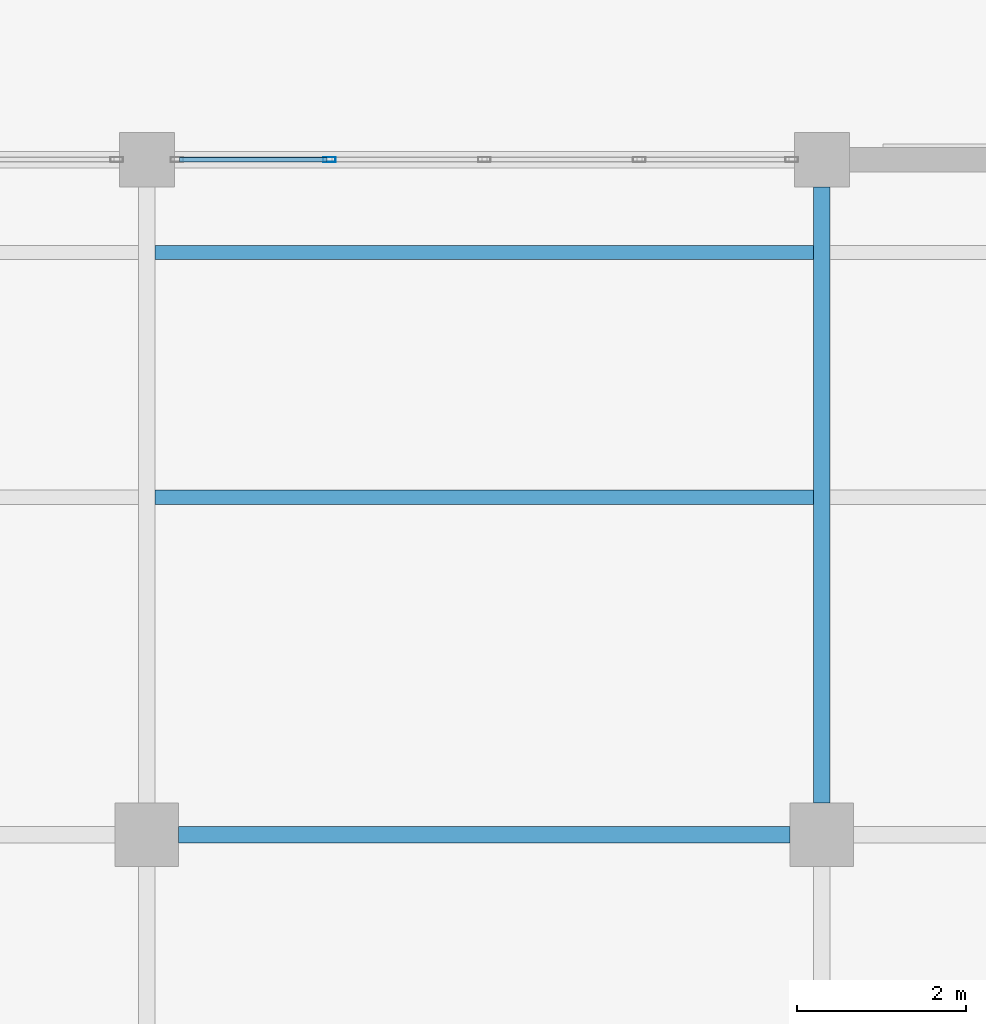
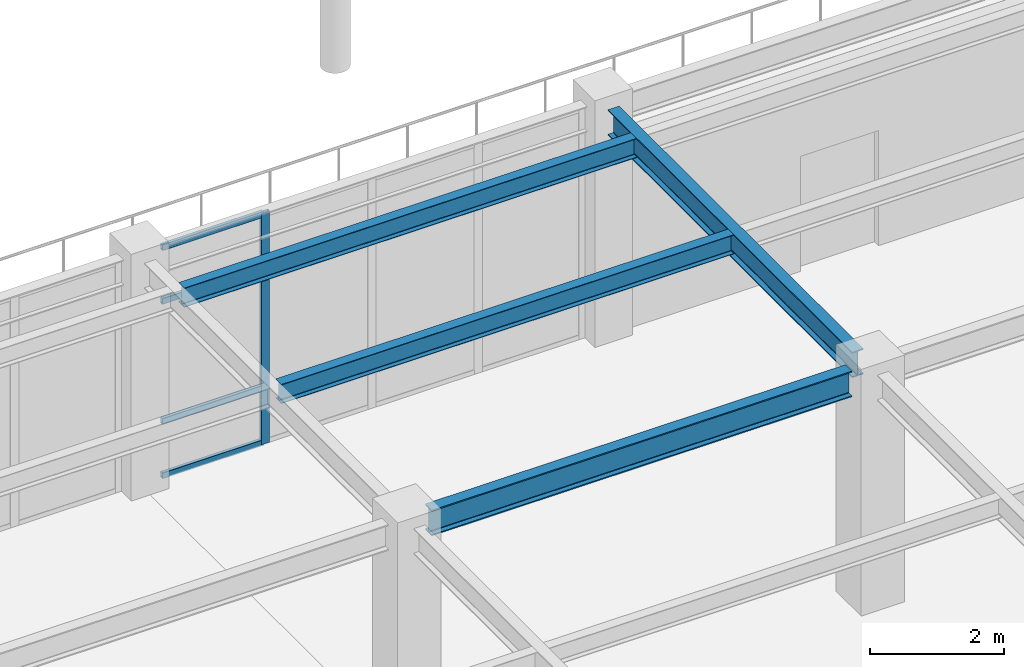
# One storey, part 24 of 78: 5 members, 4 beams, 1 element without a shape of its own.
"""IFC4 building model written with IfcOpenShell, lengths in metres."""

from ifc_helpers import new_model, si_unit, direction, frame, origin, origin_2d, place, context, subcontext, project, spatial, hollow_rectangle, i_section, extrude, material, material_profile, profile_set, type_object, element, aggregate, save


model = new_model("IFC4")

# Units and contexts
model_context = context("Model", 3, precision=1e-05, world=origin(), true_north=direction((0.0, 1.0)))
body_context = subcontext(model_context, "Body", "Model", "MODEL_VIEW")
ifc_project = project(units=[si_unit("LENGTHUNIT", "METRE"), si_unit("AREAUNIT", "SQUARE_METRE"), si_unit("VOLUMEUNIT", "CUBIC_METRE"), si_unit("PLANEANGLEUNIT", "RADIAN"), si_unit("MASSUNIT", "GRAM", prefix="KILO")], contexts=[model_context])

# Site, building, storey
site_placement = place(None, origin())
site = spatial("IfcSite", under=ifc_project, at=site_placement, CompositionType="ELEMENT")
building_placement = place(site_placement, origin())
building = spatial("IfcBuilding", under=site, at=building_placement, Name="Solmirada Galleria", CompositionType="ELEMENT")
storey_placement = place(building_placement, frame((0.0, 0.0, 23.89990234375)))
storey = spatial("IfcBuildingStorey", under=building, at=storey_placement, Name="L05", CompositionType="ELEMENT", Elevation=23.89990234375)

# Beams
ifc_material_1 = material(Name="Steel S355 / ASTM A992 Grade 50", Category="steel")
ifc_material_profile_1 = material_profile(ifc_material_1, i_section(OverallWidth=0.194091796875, OverallDepth=0.468994140625, WebThickness=0.0126953125, FlangeThickness=0.0205078125, FilletRadius=0.013916015625, at=origin_2d()), Name="W18X71")
ifc_profile_set_1 = profile_set([ifc_material_profile_1], Name="Steel S355 / ASTM A992 Grade 50")
beam_type_1 = type_object("IfcBeamType", Name="BM-GIRD-W18B", PredefinedType="BEAM", material=ifc_profile_set_1)
beam_1_placement = place(storey_placement, frame((112.375, 16.0, 4.065673828125), z_axis=(1.0, 0.0, 0.0), x_axis=(0.0, 1.0, 0.0)))
element("IfcBeam", 1, at=beam_1_placement, inside=storey, type_object=beam_type_1, Name="Primary beam L06 X(112..120, 16)", PredefinedType="BEAM", context=body_context, shape_type="SweptSolid", body=[
    extrude(i_section(OverallWidth=0.194091796875, OverallDepth=0.468994140625, WebThickness=0.0126953125, FlangeThickness=0.0205078125, FilletRadius=0.013916015625, at=origin_2d()), origin(), (0.0, 0.0, 1.0), 7.25),
])
ifc_material_profile_2 = material_profile(ifc_material_1, i_section(OverallWidth=0.193115234375, OverallDepth=0.466064453125, WebThickness=0.011474609375, FlangeThickness=0.01904296875, FilletRadius=0.013916015625, at=origin_2d()), Name="W18X65")
ifc_profile_set_2 = profile_set([ifc_material_profile_2], Name="Steel S355 / ASTM A992 Grade 50")
beam_type_2 = type_object("IfcBeamType", Name="BM-GIRD-W18C", PredefinedType="BEAM", material=ifc_profile_set_2)
beam_2_placement = place(storey_placement, frame((120.0, 16.375, 4.027099609375), z_axis=(0.0, 1.0, 0.0), x_axis=(-1.0, 0.0, 0.0)))
element("IfcBeam", 2, at=beam_2_placement, inside=storey, type_object=beam_type_2, Name="Primary girder L06 Y(120, 16..24)", PredefinedType="BEAM", context=body_context, shape_type="SweptSolid", body=[
    extrude(i_section(OverallWidth=0.193115234375, OverallDepth=0.466064453125, WebThickness=0.011474609375, FlangeThickness=0.01904296875, FilletRadius=0.013916015625, at=origin_2d()), origin(), (0.0, 0.0, 1.0), 7.300048828125),
])
ifc_material_profile_3 = material_profile(ifc_material_1, i_section(OverallWidth=0.1708984375, OverallDepth=0.35205078125, WebThickness=0.0068359375, FlangeThickness=0.009765625, FilletRadius=0.010986328125, at=origin_2d()), Name="W14X30")
ifc_profile_set_3 = profile_set([ifc_material_profile_3], Name="Steel S355 / ASTM A992 Grade 50")
beam_type_3 = type_object("IfcBeamType", Name="BM-JST-W14B", PredefinedType="JOIST", material=ifc_profile_set_3)
for number, where, z_axis, x_axis, name in (
    (3, (112.096435546875, 20.0, 4.083984375), (1.0, 0.0, 0.0), (0.0, 1.0, 0.0), "Composite floor joist L06 (112..120, 20.0)"),
    (4, (112.096435546875, 22.89990234375, 4.083984375), (1.0, 0.0, 0.0), (0.0, 1.0, 0.0), "Terrace deck joist L06-TERR-SE X=112..120 (2)"),
):
    element("IfcBeam", number, at=place(storey_placement, frame(where, z_axis=z_axis, x_axis=x_axis)), inside=storey, type_object=beam_type_3, Name=name, PredefinedType="JOIST", context=body_context, shape_type="SweptSolid", body=[
        extrude(i_section(OverallWidth=0.1708984375, OverallDepth=0.35205078125, WebThickness=0.0068359375, FlangeThickness=0.009765625, FilletRadius=0.010986328125, at=origin_2d()), origin(), (0.0, 0.0, 1.0), 7.80712890625),
    ])

# Curtain wall, members
ifc_material_2 = material(Name="Impact-resistant low-E double glazing", Category="glass")
curtain_wall_type = type_object("IfcCurtainWallType", Name="CW-FZ5-L05-B4-L074", PredefinedType="NOTDEFINED", material=ifc_material_2)
curtain_wall_placement = place(storey_placement, origin())
curtain_wall = element("IfcCurtainWall", 5, at=curtain_wall_placement, inside=storey, type_object=curtain_wall_type, Name="Terrace and arcade storefront CW-L05-183", PredefinedType="NOTDEFINED")
ifc_material_3 = material(Name="Anodised aluminium framing", Category="aluminium")
ifc_material_profile_4 = material_profile(ifc_material_3, hollow_rectangle(XDim=0.06005859375, YDim=0.14990234375, WallThickness=0.00341796875, InnerFilletRadius=0.00341796875, OuterFilletRadius=0.007080078125, at=origin_2d()), Name="ALU-MULL-150X60")
ifc_profile_set_4 = profile_set([ifc_material_profile_4], Name="Anodised aluminium framing")
member_type_1 = type_object("IfcMemberType", Name="CW-MULL-150", PredefinedType="MULLION", material=ifc_profile_set_4)
member_1_placement = place(storey_placement, frame((114.16357421875, 24.0, 0.0), z_axis=(0.0, 0.0, 1.0), x_axis=(0.0, 1.0, 0.0)))
member_1 = element("IfcMember", 6, at=member_1_placement, type_object=member_type_1, Name="CW37 mullion 2", PredefinedType="MULLION", context=body_context, shape_type="SweptSolid", body=[
    extrude(hollow_rectangle(XDim=0.06005859375, YDim=0.14990234375, WallThickness=0.00341796875, InnerFilletRadius=0.00341796875, OuterFilletRadius=0.007080078125, at=origin_2d()), origin(), (0.0, 0.0, 1.0), 4.22021484375),
])
ifc_material_profile_5 = material_profile(ifc_material_3, hollow_rectangle(XDim=0.06005859375, YDim=0.110107421875, WallThickness=0.003173828125, InnerFilletRadius=0.003173828125, OuterFilletRadius=0.00634765625, at=origin_2d()), Name="ALU-TRAN-110X60")
ifc_profile_set_5 = profile_set([ifc_material_profile_5], Name="Anodised aluminium framing")
member_type_2 = type_object("IfcMemberType", Name="CW-TRAN-110", PredefinedType="USERDEFINED", material=ifc_profile_set_5)
member_2_placement = place(storey_placement, frame((112.386962890625, 24.0, 0.030029296875), z_axis=(1.0, 0.0, 0.0), x_axis=(0.0, 1.0, 0.0)))
member_2 = element("IfcMember", 7, at=member_2_placement, type_object=member_type_2, Name="CW37 transom 1.1", ObjectType="TRANSOM", PredefinedType="USERDEFINED", context=body_context, shape_type="SweptSolid", body=[
    extrude(hollow_rectangle(XDim=0.06005859375, YDim=0.110107421875, WallThickness=0.003173828125, InnerFilletRadius=0.003173828125, OuterFilletRadius=0.00634765625, at=origin_2d()), origin(), (0.0, 0.0, 1.0), 1.74658203125),
])
member_3_placement = place(storey_placement, frame((112.386962890625, 24.0, 1.02001953125), z_axis=(1.0, 0.0, 0.0), x_axis=(0.0, 1.0, 0.0)))
member_3 = element("IfcMember", 8, at=member_3_placement, type_object=member_type_2, Name="CW37 transom 1.2", ObjectType="TRANSOM", PredefinedType="USERDEFINED", context=body_context, shape_type="SweptSolid", body=[
    extrude(hollow_rectangle(XDim=0.06005859375, YDim=0.110107421875, WallThickness=0.003173828125, InnerFilletRadius=0.003173828125, OuterFilletRadius=0.00634765625, at=origin_2d()), origin(), (0.0, 0.0, 1.0), 1.74658203125),
])
member_4_placement = place(storey_placement, frame((112.386962890625, 24.0, 3.210205078125), z_axis=(1.0, 0.0, 0.0), x_axis=(0.0, 1.0, 0.0)))
member_4 = element("IfcMember", 9, at=member_4_placement, type_object=member_type_2, Name="CW37 transom 1.3", ObjectType="TRANSOM", PredefinedType="USERDEFINED", context=body_context, shape_type="SweptSolid", body=[
    extrude(hollow_rectangle(XDim=0.06005859375, YDim=0.110107421875, WallThickness=0.003173828125, InnerFilletRadius=0.003173828125, OuterFilletRadius=0.00634765625, at=origin_2d()), origin(), (0.0, 0.0, 1.0), 1.74658203125),
])
member_5_placement = place(storey_placement, frame((112.386962890625, 24.0, 4.190185546875), z_axis=(1.0, 0.0, 0.0), x_axis=(0.0, 1.0, 0.0)))
member_5 = element("IfcMember", 10, at=member_5_placement, type_object=member_type_2, Name="CW37 transom 1.4", ObjectType="TRANSOM", PredefinedType="USERDEFINED", context=body_context, shape_type="SweptSolid", body=[
    extrude(hollow_rectangle(XDim=0.06005859375, YDim=0.110107421875, WallThickness=0.003173828125, InnerFilletRadius=0.003173828125, OuterFilletRadius=0.00634765625, at=origin_2d()), origin(), (0.0, 0.0, 1.0), 1.74658203125),
])
aggregate(curtain_wall, [member_1, member_2, member_3, member_4, member_5])

save(model, "model.ifc")
